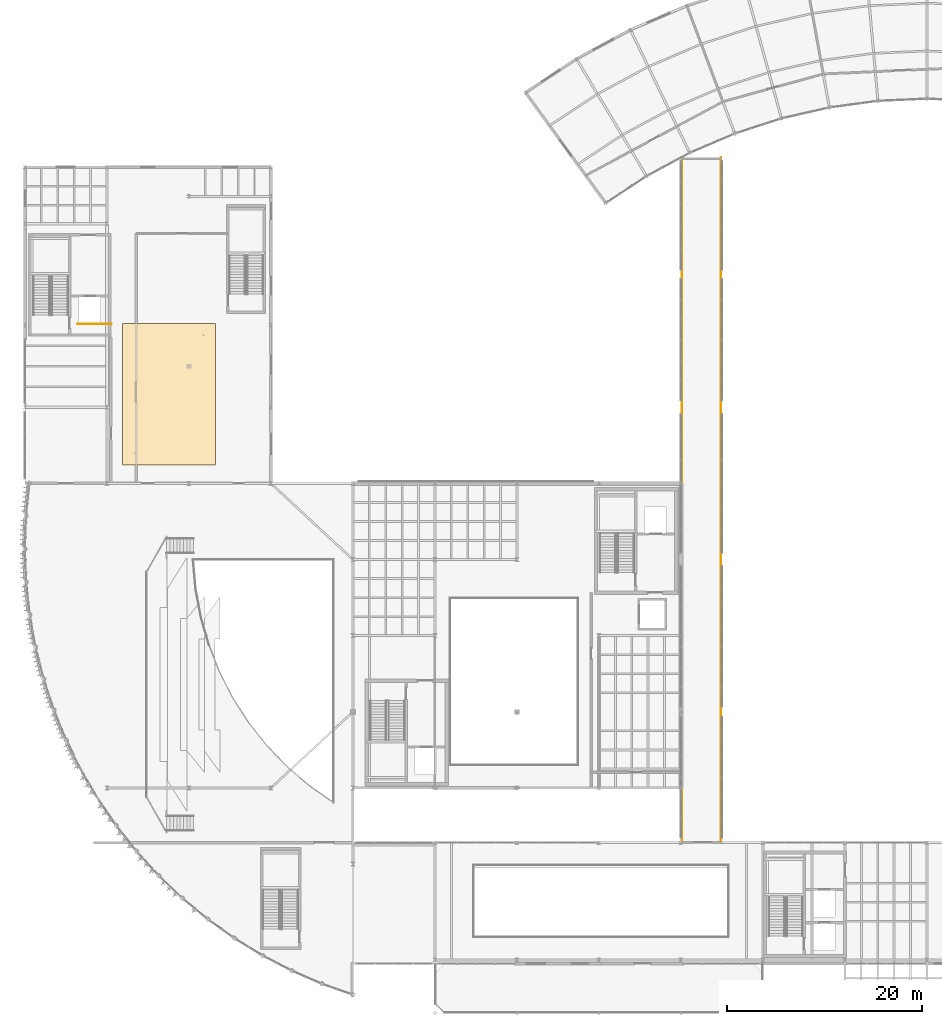
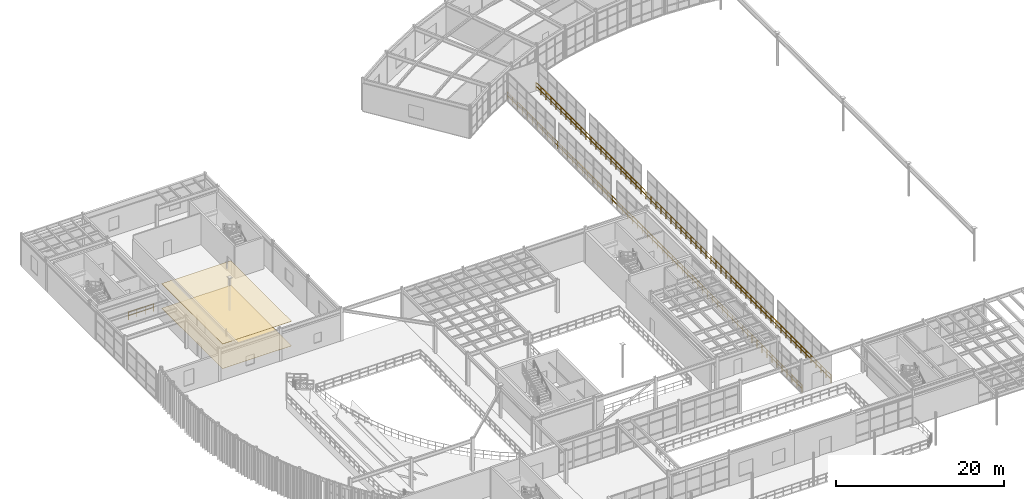
# One storey, part 113 of 116: 3 railings, 2 coverings.
"""IFC4 building model written with IfcOpenShell, lengths in metres."""

from ifc_helpers import new_model, si_unit, direction, frame, origin, origin_2d, place, context, subcontext, project, spatial, polyline, circle, outline, extrude, material, layer, layer_set, type_object, element, save


model = new_model("IFC4")

# Units and contexts
model_context = context("Model", 3, precision=1e-05, world=origin(), true_north=direction((0.0, 1.0)))
body_context = subcontext(model_context, "Body", "Model", "MODEL_VIEW")
ifc_project = project(units=[si_unit("LENGTHUNIT", "METRE"), si_unit("AREAUNIT", "SQUARE_METRE"), si_unit("VOLUMEUNIT", "CUBIC_METRE"), si_unit("PLANEANGLEUNIT", "RADIAN"), si_unit("MASSUNIT", "GRAM", prefix="KILO")], contexts=[model_context])

# Site, building, storey
site_placement = place(None, origin())
site = spatial("IfcSite", under=ifc_project, at=site_placement, CompositionType="ELEMENT")
building_placement = place(site_placement, origin())
building = spatial("IfcBuilding", under=site, at=building_placement, Name="Selat Folded Stagehouse", CompositionType="ELEMENT")
storey_placement = place(building_placement, frame((0.0, 0.0, 5.39990234375)))
storey = spatial("IfcBuildingStorey", under=building, at=storey_placement, Name="L01", CompositionType="ELEMENT", Elevation=5.39990234375)

# Coverings
ifc_material_1 = material(Name="Acoustic perforated timber and mineral wool", Category="wood")
ifc_layer_1 = layer(ifc_material_1, 0.050048828125)
ifc_layer_set_1 = layer_set([ifc_layer_1], Name="Acoustic perforated timber and mineral wool")
covering_type_1 = type_object("IfcCoveringType", Name="COV-CEIL-AC50", PredefinedType="CEILING", material=ifc_layer_set_1)
covering_1_placement = place(storey_placement, frame((0.0, 0.0, 3.550048828125)))
element("IfcCovering", 1, at=covering_1_placement, inside=storey, type_object=covering_type_1, Name="L01 suspended acoustic ceiling CLG-L01-BBX", PredefinedType="CEILING", context=body_context, shape_type="SweptSolid", body=[
    extrude(outline(polyline([(10.0, 56.5), (19.5, 56.5), (19.5, 71.0), (10.0, 71.0), (10.0, 56.5)])), origin(), (0.0, 0.0, 1.0), 0.050048828125),
])
ifc_material_2 = material(Name="Sprung black-stained oak stage and studio flooring", Category="wood")
ifc_layer_2 = layer(ifc_material_2, 0.02490234375)
ifc_layer_set_2 = layer_set([ifc_layer_2], Name="Sprung black-stained oak stage and studio flooring")
covering_type_2 = type_object("IfcCoveringType", Name="COV-FLR-TIM25", PredefinedType="FLOORING", material=ifc_layer_set_2)
covering_2_placement = place(storey_placement, origin())
element("IfcCovering", 2, at=covering_2_placement, inside=storey, type_object=covering_type_2, Name="L01 sprung oak stage flooring FLR-L01-BBX", PredefinedType="FLOORING", context=body_context, shape_type="SweptSolid", body=[
    extrude(outline(polyline([(10.0, 56.5), (19.5, 56.5), (19.5, 71.0), (10.0, 71.0), (10.0, 56.5)])), origin(), (0.0, 0.0, 1.0), 0.025146484375),
])

# Railings
ifc_material_3 = material(Name="Bronze-anodised steel balustrade", Category="steel")
ifc_layer_3 = layer(ifc_material_3, 0.06494140625)
ifc_layer_set_3 = layer_set([ifc_layer_3], Name="Bronze-anodised steel balustrade")
railing_type = type_object("IfcRailingType", Name="RLG-BAL-1120", PredefinedType="BALUSTRADE", material=ifc_layer_set_3)
railing_1_placement = place(storey_placement, frame((67.320068359375, 17.800048828125, 0.0)))
element("IfcRailing", 3, at=railing_1_placement, inside=storey, type_object=railing_type, Name="L01 skybridge BR1 continuous internal guard W", PredefinedType="BALUSTRADE", context=body_context, shape_type="SweptSolid", body=[
    extrude(circle(Radius=0.02392578125, at=origin_2d()), frame((0.0, 0.0, 1.09619140625), z_axis=(0.0, 1.0, 0.0), x_axis=(-1.0, 0.0, 0.0)), (0.0, 0.0, 1.0), 70.199951171875),
    extrude(circle(Radius=0.02392578125, at=origin_2d()), frame((0.0, 0.0, 0.56005859375), z_axis=(0.0, 1.0, 0.0), x_axis=(-1.0, 0.0, 0.0)), (0.0, 0.0, 1.0), 70.199951171875),
    extrude(circle(Radius=0.02099609375, at=origin_2d()), origin(), (0.0, 0.0, 1.0), 1.072021484375),
    extrude(circle(Radius=0.02099609375, at=origin_2d()), frame((0.0, 1.18994140625, 0.0)), (0.0, 0.0, 1.0), 1.072021484375),
    extrude(circle(Radius=0.02099609375, at=origin_2d()), frame((0.0, 2.379638671875, 0.0)), (0.0, 0.0, 1.0), 1.072021484375),
    extrude(circle(Radius=0.02099609375, at=origin_2d()), frame((0.0, 3.569580078125, 0.0)), (0.0, 0.0, 1.0), 1.072021484375),
    extrude(circle(Radius=0.02099609375, at=origin_2d()), frame((0.0, 4.75927734375, 0.0)), (0.0, 0.0, 1.0), 1.072021484375),
    extrude(circle(Radius=0.02099609375, at=origin_2d()), frame((0.0, 5.94921875, 0.0)), (0.0, 0.0, 1.0), 1.072021484375),
    extrude(circle(Radius=0.02099609375, at=origin_2d()), frame((0.0, 7.138916015625, 0.0)), (0.0, 0.0, 1.0), 1.072021484375),
    extrude(circle(Radius=0.02099609375, at=origin_2d()), frame((0.0, 8.328857421875, 0.0)), (0.0, 0.0, 1.0), 1.072021484375),
    extrude(circle(Radius=0.02099609375, at=origin_2d()), frame((0.0, 9.5185546875, 0.0)), (0.0, 0.0, 1.0), 1.072021484375),
    extrude(circle(Radius=0.02099609375, at=origin_2d()), frame((0.0, 10.70849609375, 0.0)), (0.0, 0.0, 1.0), 1.072021484375),
    extrude(circle(Radius=0.02099609375, at=origin_2d()), frame((0.0, 11.898193359375, 0.0)), (0.0, 0.0, 1.0), 1.072021484375),
    extrude(circle(Radius=0.02099609375, at=origin_2d()), frame((0.0, 13.088134765625, 0.0)), (0.0, 0.0, 1.0), 1.072021484375),
    extrude(circle(Radius=0.02099609375, at=origin_2d()), frame((0.0, 14.278076171875, 0.0)), (0.0, 0.0, 1.0), 1.072021484375),
    extrude(circle(Radius=0.02099609375, at=origin_2d()), frame((0.0, 15.4677734375, 0.0)), (0.0, 0.0, 1.0), 1.072021484375),
    extrude(circle(Radius=0.02099609375, at=origin_2d()), frame((0.0, 16.65771484375, 0.0)), (0.0, 0.0, 1.0), 1.072021484375),
    extrude(circle(Radius=0.02099609375, at=origin_2d()), frame((0.0, 17.847412109375, 0.0)), (0.0, 0.0, 1.0), 1.072021484375),
    extrude(circle(Radius=0.02099609375, at=origin_2d()), frame((0.0, 19.037353515625, 0.0)), (0.0, 0.0, 1.0), 1.072021484375),
    extrude(circle(Radius=0.02099609375, at=origin_2d()), frame((0.0, 20.22705078125, 0.0)), (0.0, 0.0, 1.0), 1.072021484375),
    extrude(circle(Radius=0.02099609375, at=origin_2d()), frame((0.0, 21.4169921875, 0.0)), (0.0, 0.0, 1.0), 1.072021484375),
    extrude(circle(Radius=0.02099609375, at=origin_2d()), frame((0.0, 22.606689453125, 0.0)), (0.0, 0.0, 1.0), 1.072021484375),
    extrude(circle(Radius=0.02099609375, at=origin_2d()), frame((0.0, 23.796630859375, 0.0)), (0.0, 0.0, 1.0), 1.072021484375),
    extrude(circle(Radius=0.02099609375, at=origin_2d()), frame((0.0, 24.986328125, 0.0)), (0.0, 0.0, 1.0), 1.072021484375),
    extrude(circle(Radius=0.02099609375, at=origin_2d()), frame((0.0, 26.17626953125, 0.0)), (0.0, 0.0, 1.0), 1.072021484375),
    extrude(circle(Radius=0.02099609375, at=origin_2d()), frame((0.0, 27.365966796875, 0.0)), (0.0, 0.0, 1.0), 1.072021484375),
    extrude(circle(Radius=0.02099609375, at=origin_2d()), frame((0.0, 28.555908203125, 0.0)), (0.0, 0.0, 1.0), 1.072021484375),
    extrude(circle(Radius=0.02099609375, at=origin_2d()), frame((0.0, 29.745849609375, 0.0)), (0.0, 0.0, 1.0), 1.072021484375),
    extrude(circle(Radius=0.02099609375, at=origin_2d()), frame((0.0, 30.935546875, 0.0)), (0.0, 0.0, 1.0), 1.072021484375),
    extrude(circle(Radius=0.02099609375, at=origin_2d()), frame((0.0, 32.12548828125, 0.0)), (0.0, 0.0, 1.0), 1.072021484375),
    extrude(circle(Radius=0.02099609375, at=origin_2d()), frame((0.0, 33.315185546875, 0.0)), (0.0, 0.0, 1.0), 1.072021484375),
    extrude(circle(Radius=0.02099609375, at=origin_2d()), frame((0.0, 34.505126953125, 0.0)), (0.0, 0.0, 1.0), 1.072021484375),
    extrude(circle(Radius=0.02099609375, at=origin_2d()), frame((0.0, 35.69482421875, 0.0)), (0.0, 0.0, 1.0), 1.072021484375),
    extrude(circle(Radius=0.02099609375, at=origin_2d()), frame((0.0, 36.884765625, 0.0)), (0.0, 0.0, 1.0), 1.072021484375),
    extrude(circle(Radius=0.02099609375, at=origin_2d()), frame((0.0, 38.074462890625, 0.0)), (0.0, 0.0, 1.0), 1.072021484375),
    extrude(circle(Radius=0.02099609375, at=origin_2d()), frame((0.0, 39.264404296875, 0.0)), (0.0, 0.0, 1.0), 1.072021484375),
    extrude(circle(Radius=0.02099609375, at=origin_2d()), frame((0.0, 40.4541015625, 0.0)), (0.0, 0.0, 1.0), 1.072021484375),
    extrude(circle(Radius=0.02099609375, at=origin_2d()), frame((0.0, 41.64404296875, 0.0)), (0.0, 0.0, 1.0), 1.072021484375),
    extrude(circle(Radius=0.02099609375, at=origin_2d()), frame((0.0, 42.833984375, 0.0)), (0.0, 0.0, 1.0), 1.072021484375),
    extrude(circle(Radius=0.02099609375, at=origin_2d()), frame((0.0, 44.023681640625, 0.0)), (0.0, 0.0, 1.0), 1.072021484375),
    extrude(circle(Radius=0.02099609375, at=origin_2d()), frame((0.0, 45.213623046875, 0.0)), (0.0, 0.0, 1.0), 1.072021484375),
    extrude(circle(Radius=0.02099609375, at=origin_2d()), frame((0.0, 46.4033203125, 0.0)), (0.0, 0.0, 1.0), 1.072021484375),
    extrude(circle(Radius=0.02099609375, at=origin_2d()), frame((0.0, 47.59326171875, 0.0)), (0.0, 0.0, 1.0), 1.072021484375),
    extrude(circle(Radius=0.02099609375, at=origin_2d()), frame((0.0, 48.782958984375, 0.0)), (0.0, 0.0, 1.0), 1.072021484375),
    extrude(circle(Radius=0.02099609375, at=origin_2d()), frame((0.0, 49.972900390625, 0.0)), (0.0, 0.0, 1.0), 1.072021484375),
    extrude(circle(Radius=0.02099609375, at=origin_2d()), frame((0.0, 51.16259765625, 0.0)), (0.0, 0.0, 1.0), 1.072021484375),
    extrude(circle(Radius=0.02099609375, at=origin_2d()), frame((0.0, 52.3525390625, 0.0)), (0.0, 0.0, 1.0), 1.072021484375),
    extrude(circle(Radius=0.02099609375, at=origin_2d()), frame((0.0, 53.542236328125, 0.0)), (0.0, 0.0, 1.0), 1.072021484375),
    extrude(circle(Radius=0.02099609375, at=origin_2d()), frame((0.0, 54.732177734375, 0.0)), (0.0, 0.0, 1.0), 1.072021484375),
    extrude(circle(Radius=0.02099609375, at=origin_2d()), frame((0.0, 55.921875, 0.0)), (0.0, 0.0, 1.0), 1.072021484375),
    extrude(circle(Radius=0.02099609375, at=origin_2d()), frame((0.0, 57.11181640625, 0.0)), (0.0, 0.0, 1.0), 1.072021484375),
    extrude(circle(Radius=0.02099609375, at=origin_2d()), frame((0.0, 58.3017578125, 0.0)), (0.0, 0.0, 1.0), 1.072021484375),
    extrude(circle(Radius=0.02099609375, at=origin_2d()), frame((0.0, 59.491455078125, 0.0)), (0.0, 0.0, 1.0), 1.072021484375),
    extrude(circle(Radius=0.02099609375, at=origin_2d()), frame((0.0, 60.681396484375, 0.0)), (0.0, 0.0, 1.0), 1.072021484375),
    extrude(circle(Radius=0.02099609375, at=origin_2d()), frame((0.0, 61.87109375, 0.0)), (0.0, 0.0, 1.0), 1.072021484375),
    extrude(circle(Radius=0.02099609375, at=origin_2d()), frame((0.0, 63.06103515625, 0.0)), (0.0, 0.0, 1.0), 1.072021484375),
    extrude(circle(Radius=0.02099609375, at=origin_2d()), frame((0.0, 64.250732421875, 0.0)), (0.0, 0.0, 1.0), 1.072021484375),
    extrude(circle(Radius=0.02099609375, at=origin_2d()), frame((0.0, 65.440673828125, 0.0)), (0.0, 0.0, 1.0), 1.072021484375),
    extrude(circle(Radius=0.02099609375, at=origin_2d()), frame((0.0, 66.63037109375, 0.0)), (0.0, 0.0, 1.0), 1.072021484375),
    extrude(circle(Radius=0.02099609375, at=origin_2d()), frame((0.0, 67.8203125, 0.0)), (0.0, 0.0, 1.0), 1.072021484375),
    extrude(circle(Radius=0.02099609375, at=origin_2d()), frame((0.0, 69.010009765625, 0.0)), (0.0, 0.0, 1.0), 1.072021484375),
    extrude(circle(Radius=0.02099609375, at=origin_2d()), frame((0.0, 70.199951171875, 0.0)), (0.0, 0.0, 1.0), 1.072021484375),
])
railing_2_placement = place(storey_placement, frame((71.280029296875, 17.800048828125, 0.0)))
element("IfcRailing", 4, at=railing_2_placement, inside=storey, type_object=railing_type, Name="L01 skybridge BR1 continuous internal guard E", PredefinedType="BALUSTRADE", context=body_context, shape_type="SweptSolid", body=[
    extrude(circle(Radius=0.02392578125, at=origin_2d()), frame((0.0, 0.0, 1.09619140625), z_axis=(0.0, 1.0, 0.0), x_axis=(-1.0, 0.0, 0.0)), (0.0, 0.0, 1.0), 70.199951171875),
    extrude(circle(Radius=0.02392578125, at=origin_2d()), frame((0.0, 0.0, 0.56005859375), z_axis=(0.0, 1.0, 0.0), x_axis=(-1.0, 0.0, 0.0)), (0.0, 0.0, 1.0), 70.199951171875),
    extrude(circle(Radius=0.02099609375, at=origin_2d()), origin(), (0.0, 0.0, 1.0), 1.072021484375),
    extrude(circle(Radius=0.02099609375, at=origin_2d()), frame((0.0, 1.18994140625, 0.0)), (0.0, 0.0, 1.0), 1.072021484375),
    extrude(circle(Radius=0.02099609375, at=origin_2d()), frame((0.0, 2.379638671875, 0.0)), (0.0, 0.0, 1.0), 1.072021484375),
    extrude(circle(Radius=0.02099609375, at=origin_2d()), frame((0.0, 3.569580078125, 0.0)), (0.0, 0.0, 1.0), 1.072021484375),
    extrude(circle(Radius=0.02099609375, at=origin_2d()), frame((0.0, 4.75927734375, 0.0)), (0.0, 0.0, 1.0), 1.072021484375),
    extrude(circle(Radius=0.02099609375, at=origin_2d()), frame((0.0, 5.94921875, 0.0)), (0.0, 0.0, 1.0), 1.072021484375),
    extrude(circle(Radius=0.02099609375, at=origin_2d()), frame((0.0, 7.138916015625, 0.0)), (0.0, 0.0, 1.0), 1.072021484375),
    extrude(circle(Radius=0.02099609375, at=origin_2d()), frame((0.0, 8.328857421875, 0.0)), (0.0, 0.0, 1.0), 1.072021484375),
    extrude(circle(Radius=0.02099609375, at=origin_2d()), frame((0.0, 9.5185546875, 0.0)), (0.0, 0.0, 1.0), 1.072021484375),
    extrude(circle(Radius=0.02099609375, at=origin_2d()), frame((0.0, 10.70849609375, 0.0)), (0.0, 0.0, 1.0), 1.072021484375),
    extrude(circle(Radius=0.02099609375, at=origin_2d()), frame((0.0, 11.898193359375, 0.0)), (0.0, 0.0, 1.0), 1.072021484375),
    extrude(circle(Radius=0.02099609375, at=origin_2d()), frame((0.0, 13.088134765625, 0.0)), (0.0, 0.0, 1.0), 1.072021484375),
    extrude(circle(Radius=0.02099609375, at=origin_2d()), frame((0.0, 14.278076171875, 0.0)), (0.0, 0.0, 1.0), 1.072021484375),
    extrude(circle(Radius=0.02099609375, at=origin_2d()), frame((0.0, 15.4677734375, 0.0)), (0.0, 0.0, 1.0), 1.072021484375),
    extrude(circle(Radius=0.02099609375, at=origin_2d()), frame((0.0, 16.65771484375, 0.0)), (0.0, 0.0, 1.0), 1.072021484375),
    extrude(circle(Radius=0.02099609375, at=origin_2d()), frame((0.0, 17.847412109375, 0.0)), (0.0, 0.0, 1.0), 1.072021484375),
    extrude(circle(Radius=0.02099609375, at=origin_2d()), frame((0.0, 19.037353515625, 0.0)), (0.0, 0.0, 1.0), 1.072021484375),
    extrude(circle(Radius=0.02099609375, at=origin_2d()), frame((0.0, 20.22705078125, 0.0)), (0.0, 0.0, 1.0), 1.072021484375),
    extrude(circle(Radius=0.02099609375, at=origin_2d()), frame((0.0, 21.4169921875, 0.0)), (0.0, 0.0, 1.0), 1.072021484375),
    extrude(circle(Radius=0.02099609375, at=origin_2d()), frame((0.0, 22.606689453125, 0.0)), (0.0, 0.0, 1.0), 1.072021484375),
    extrude(circle(Radius=0.02099609375, at=origin_2d()), frame((0.0, 23.796630859375, 0.0)), (0.0, 0.0, 1.0), 1.072021484375),
    extrude(circle(Radius=0.02099609375, at=origin_2d()), frame((0.0, 24.986328125, 0.0)), (0.0, 0.0, 1.0), 1.072021484375),
    extrude(circle(Radius=0.02099609375, at=origin_2d()), frame((0.0, 26.17626953125, 0.0)), (0.0, 0.0, 1.0), 1.072021484375),
    extrude(circle(Radius=0.02099609375, at=origin_2d()), frame((0.0, 27.365966796875, 0.0)), (0.0, 0.0, 1.0), 1.072021484375),
    extrude(circle(Radius=0.02099609375, at=origin_2d()), frame((0.0, 28.555908203125, 0.0)), (0.0, 0.0, 1.0), 1.072021484375),
    extrude(circle(Radius=0.02099609375, at=origin_2d()), frame((0.0, 29.745849609375, 0.0)), (0.0, 0.0, 1.0), 1.072021484375),
    extrude(circle(Radius=0.02099609375, at=origin_2d()), frame((0.0, 30.935546875, 0.0)), (0.0, 0.0, 1.0), 1.072021484375),
    extrude(circle(Radius=0.02099609375, at=origin_2d()), frame((0.0, 32.12548828125, 0.0)), (0.0, 0.0, 1.0), 1.072021484375),
    extrude(circle(Radius=0.02099609375, at=origin_2d()), frame((0.0, 33.315185546875, 0.0)), (0.0, 0.0, 1.0), 1.072021484375),
    extrude(circle(Radius=0.02099609375, at=origin_2d()), frame((0.0, 34.505126953125, 0.0)), (0.0, 0.0, 1.0), 1.072021484375),
    extrude(circle(Radius=0.02099609375, at=origin_2d()), frame((0.0, 35.69482421875, 0.0)), (0.0, 0.0, 1.0), 1.072021484375),
    extrude(circle(Radius=0.02099609375, at=origin_2d()), frame((0.0, 36.884765625, 0.0)), (0.0, 0.0, 1.0), 1.072021484375),
    extrude(circle(Radius=0.02099609375, at=origin_2d()), frame((0.0, 38.074462890625, 0.0)), (0.0, 0.0, 1.0), 1.072021484375),
    extrude(circle(Radius=0.02099609375, at=origin_2d()), frame((0.0, 39.264404296875, 0.0)), (0.0, 0.0, 1.0), 1.072021484375),
    extrude(circle(Radius=0.02099609375, at=origin_2d()), frame((0.0, 40.4541015625, 0.0)), (0.0, 0.0, 1.0), 1.072021484375),
    extrude(circle(Radius=0.02099609375, at=origin_2d()), frame((0.0, 41.64404296875, 0.0)), (0.0, 0.0, 1.0), 1.072021484375),
    extrude(circle(Radius=0.02099609375, at=origin_2d()), frame((0.0, 42.833984375, 0.0)), (0.0, 0.0, 1.0), 1.072021484375),
    extrude(circle(Radius=0.02099609375, at=origin_2d()), frame((0.0, 44.023681640625, 0.0)), (0.0, 0.0, 1.0), 1.072021484375),
    extrude(circle(Radius=0.02099609375, at=origin_2d()), frame((0.0, 45.213623046875, 0.0)), (0.0, 0.0, 1.0), 1.072021484375),
    extrude(circle(Radius=0.02099609375, at=origin_2d()), frame((0.0, 46.4033203125, 0.0)), (0.0, 0.0, 1.0), 1.072021484375),
    extrude(circle(Radius=0.02099609375, at=origin_2d()), frame((0.0, 47.59326171875, 0.0)), (0.0, 0.0, 1.0), 1.072021484375),
    extrude(circle(Radius=0.02099609375, at=origin_2d()), frame((0.0, 48.782958984375, 0.0)), (0.0, 0.0, 1.0), 1.072021484375),
    extrude(circle(Radius=0.02099609375, at=origin_2d()), frame((0.0, 49.972900390625, 0.0)), (0.0, 0.0, 1.0), 1.072021484375),
    extrude(circle(Radius=0.02099609375, at=origin_2d()), frame((0.0, 51.16259765625, 0.0)), (0.0, 0.0, 1.0), 1.072021484375),
    extrude(circle(Radius=0.02099609375, at=origin_2d()), frame((0.0, 52.3525390625, 0.0)), (0.0, 0.0, 1.0), 1.072021484375),
    extrude(circle(Radius=0.02099609375, at=origin_2d()), frame((0.0, 53.542236328125, 0.0)), (0.0, 0.0, 1.0), 1.072021484375),
    extrude(circle(Radius=0.02099609375, at=origin_2d()), frame((0.0, 54.732177734375, 0.0)), (0.0, 0.0, 1.0), 1.072021484375),
    extrude(circle(Radius=0.02099609375, at=origin_2d()), frame((0.0, 55.921875, 0.0)), (0.0, 0.0, 1.0), 1.072021484375),
    extrude(circle(Radius=0.02099609375, at=origin_2d()), frame((0.0, 57.11181640625, 0.0)), (0.0, 0.0, 1.0), 1.072021484375),
    extrude(circle(Radius=0.02099609375, at=origin_2d()), frame((0.0, 58.3017578125, 0.0)), (0.0, 0.0, 1.0), 1.072021484375),
    extrude(circle(Radius=0.02099609375, at=origin_2d()), frame((0.0, 59.491455078125, 0.0)), (0.0, 0.0, 1.0), 1.072021484375),
    extrude(circle(Radius=0.02099609375, at=origin_2d()), frame((0.0, 60.681396484375, 0.0)), (0.0, 0.0, 1.0), 1.072021484375),
    extrude(circle(Radius=0.02099609375, at=origin_2d()), frame((0.0, 61.87109375, 0.0)), (0.0, 0.0, 1.0), 1.072021484375),
    extrude(circle(Radius=0.02099609375, at=origin_2d()), frame((0.0, 63.06103515625, 0.0)), (0.0, 0.0, 1.0), 1.072021484375),
    extrude(circle(Radius=0.02099609375, at=origin_2d()), frame((0.0, 64.250732421875, 0.0)), (0.0, 0.0, 1.0), 1.072021484375),
    extrude(circle(Radius=0.02099609375, at=origin_2d()), frame((0.0, 65.440673828125, 0.0)), (0.0, 0.0, 1.0), 1.072021484375),
    extrude(circle(Radius=0.02099609375, at=origin_2d()), frame((0.0, 66.63037109375, 0.0)), (0.0, 0.0, 1.0), 1.072021484375),
    extrude(circle(Radius=0.02099609375, at=origin_2d()), frame((0.0, 67.8203125, 0.0)), (0.0, 0.0, 1.0), 1.072021484375),
    extrude(circle(Radius=0.02099609375, at=origin_2d()), frame((0.0, 69.010009765625, 0.0)), (0.0, 0.0, 1.0), 1.072021484375),
    extrude(circle(Radius=0.02099609375, at=origin_2d()), frame((0.0, 70.199951171875, 0.0)), (0.0, 0.0, 1.0), 1.072021484375),
])
railing_3_placement = place(storey_placement, frame((5.39990234375, 70.949951171875, 0.0)))
element("IfcRailing", 5, at=railing_3_placement, inside=storey, type_object=railing_type, Name="L01 CR-5 shaft rim guard", PredefinedType="BALUSTRADE", context=body_context, shape_type="SweptSolid", body=[
    extrude(circle(Radius=0.02392578125, at=origin_2d()), frame((0.0, 0.0, 1.09619140625), z_axis=(1.0, 0.0, 0.0), x_axis=(0.0, 1.0, 0.0)), (0.0, 0.0, 1.0), 3.4501953125),
    extrude(circle(Radius=0.02392578125, at=origin_2d()), frame((0.0, 0.0, 0.56005859375), z_axis=(1.0, 0.0, 0.0), x_axis=(0.0, 1.0, 0.0)), (0.0, 0.0, 1.0), 3.4501953125),
    extrude(circle(Radius=0.02099609375, at=origin_2d()), origin(), (0.0, 0.0, 1.0), 1.072021484375),
    extrude(circle(Radius=0.02099609375, at=origin_2d()), frame((1.150146484375, 0.0, 0.0)), (0.0, 0.0, 1.0), 1.072021484375),
    extrude(circle(Radius=0.02099609375, at=origin_2d()), frame((2.300048828125, 0.0, 0.0)), (0.0, 0.0, 1.0), 1.072021484375),
    extrude(circle(Radius=0.02099609375, at=origin_2d()), frame((3.4501953125, 0.0, 0.0)), (0.0, 0.0, 1.0), 1.072021484375),
])

save(model, "model.ifc")
